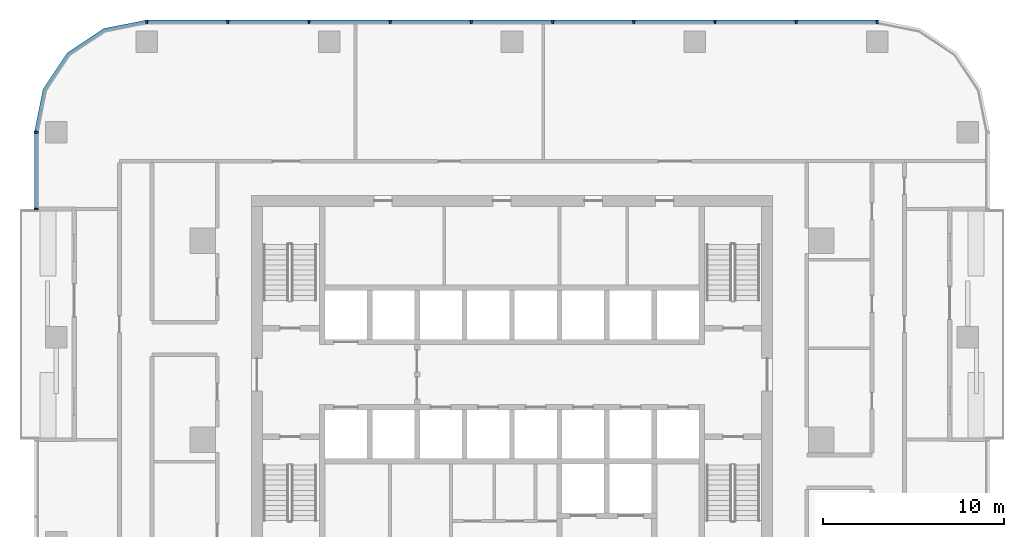
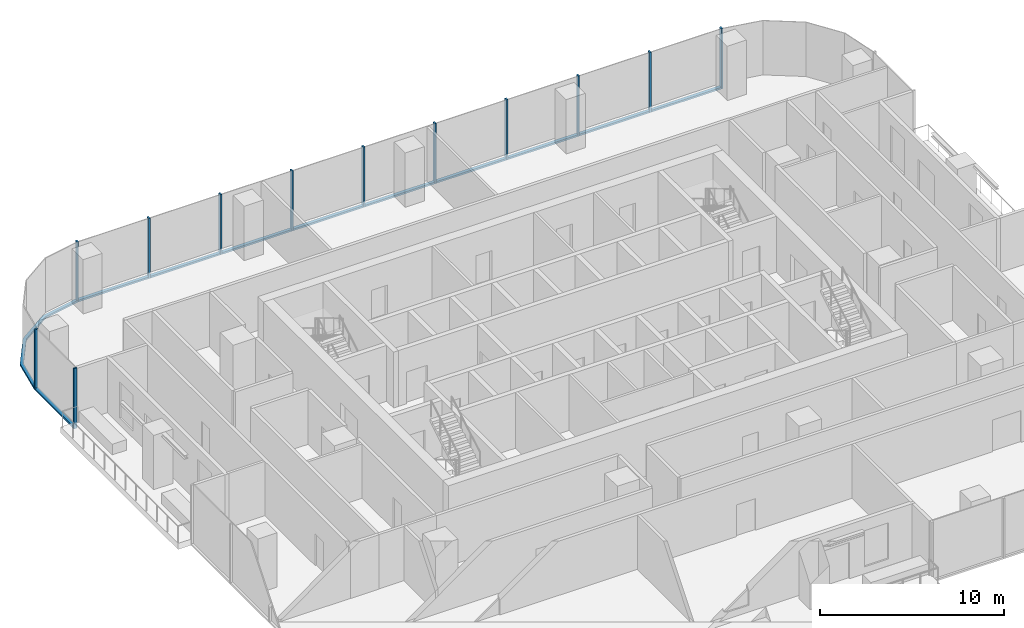
# One storey, part 4 of 15: 23 members, 3 elements without a shape of their own.
"""IFC4 building model written with IfcOpenShell, lengths in metres."""

from ifc_helpers import new_model, si_unit, direction, frame, origin, origin_2d, place, context, subcontext, project, spatial, polyline, rectangle, outline, extrude, material, material_profile, profile_set, type_object, element, aggregate, save


model = new_model("IFC4")

# Units and contexts
model_context = context("Model", 3, precision=1e-05, world=origin(), true_north=direction((0.0, 1.0)))
body_context = subcontext(model_context, "Body", "Model", "MODEL_VIEW")
ifc_project = project(units=[si_unit("LENGTHUNIT", "METRE"), si_unit("AREAUNIT", "SQUARE_METRE"), si_unit("VOLUMEUNIT", "CUBIC_METRE"), si_unit("PLANEANGLEUNIT", "RADIAN"), si_unit("MASSUNIT", "GRAM", prefix="KILO")], contexts=[model_context])

# Site, building, storey
site_placement = place(None, origin())
site = spatial("IfcSite", under=ifc_project, at=site_placement, CompositionType="ELEMENT")
building_placement = place(site_placement, origin())
building = spatial("IfcBuilding", under=site, at=building_placement, Name="Mopane Tessera Tower", CompositionType="ELEMENT")
storey_placement = place(building_placement, frame((0.0, 0.0, 173.0)))
storey = spatial("IfcBuildingStorey", under=building, at=storey_placement, Name="L35", CompositionType="ELEMENT", Elevation=173.0)

# Curtain wall, members
ifc_material_1 = material(Name="Aluminium frame", Category="aluminium")
curtain_wall_type = type_object("IfcCurtainWallType", Name="Unitised curtain wall", PredefinedType="NOTDEFINED", material=ifc_material_1)
curtain_wall_1_placement = place(storey_placement, origin())
curtain_wall_1 = element("IfcCurtainWall", 1, at=curtain_wall_1_placement, inside=storey, type_object=curtain_wall_type, Name="e:cw:L35:N:0", PredefinedType="NOTDEFINED")
ifc_material_2 = material(Name="Aluminium frame", Category="aluminium")
ifc_material_profile_1 = material_profile(ifc_material_2, rectangle(XDim=0.10009765625, YDim=0.199951171875, at=origin_2d()))
ifc_profile_set_1 = profile_set([ifc_material_profile_1], Name="Aluminium frame")
member_type_1 = type_object("IfcMemberType", Name="Aluminium mullion 100 x 200", PredefinedType="MULLION", material=ifc_profile_set_1)
member_1_placement = place(storey_placement, frame((20.199951171875, 23.10009765625, -0.39990234375), z_axis=(0.0, 0.0, 1.0), x_axis=(-1.0, 0.0, 0.0)))
member_1 = element("IfcMember", 2, at=member_1_placement, type_object=member_type_1, Name="e:cw:L35:N:0:mu0", PredefinedType="MULLION", context=body_context, shape_type="SweptSolid", body=[
    extrude(rectangle(XDim=0.10009765625, YDim=0.199951171875, at=origin_2d()), origin(), (0.0, 0.0, 1.0), 4.0),
])
member_2_placement = place(storey_placement, frame((15.711181640625, 23.10009765625, -0.39990234375), z_axis=(0.0, 0.0, 1.0), x_axis=(-1.0, 0.0, 0.0)))
member_2 = element("IfcMember", 3, at=member_2_placement, type_object=member_type_1, Name="e:cw:L35:N:0:mu1", PredefinedType="MULLION", context=body_context, shape_type="SweptSolid", body=[
    extrude(rectangle(XDim=0.10009765625, YDim=0.199951171875, at=origin_2d()), origin(), (0.0, 0.0, 1.0), 4.0),
])
member_3_placement = place(storey_placement, frame((11.22216796875, 23.10009765625, -0.39990234375), z_axis=(0.0, 0.0, 1.0), x_axis=(-1.0, 0.0, 0.0)))
member_3 = element("IfcMember", 4, at=member_3_placement, type_object=member_type_1, Name="e:cw:L35:N:0:mu2", PredefinedType="MULLION", context=body_context, shape_type="SweptSolid", body=[
    extrude(rectangle(XDim=0.10009765625, YDim=0.199951171875, at=origin_2d()), origin(), (0.0, 0.0, 1.0), 4.0),
])
member_4_placement = place(storey_placement, frame((6.7333984375, 23.10009765625, -0.39990234375), z_axis=(0.0, 0.0, 1.0), x_axis=(-1.0, 0.0, 0.0)))
member_4 = element("IfcMember", 5, at=member_4_placement, type_object=member_type_1, Name="e:cw:L35:N:0:mu3", PredefinedType="MULLION", context=body_context, shape_type="SweptSolid", body=[
    extrude(rectangle(XDim=0.10009765625, YDim=0.199951171875, at=origin_2d()), origin(), (0.0, 0.0, 1.0), 4.0),
])
member_5_placement = place(storey_placement, frame((2.244384765625, 23.10009765625, -0.39990234375), z_axis=(0.0, 0.0, 1.0), x_axis=(-1.0, 0.0, 0.0)))
member_5 = element("IfcMember", 6, at=member_5_placement, type_object=member_type_1, Name="e:cw:L35:N:0:mu4", PredefinedType="MULLION", context=body_context, shape_type="SweptSolid", body=[
    extrude(rectangle(XDim=0.10009765625, YDim=0.199951171875, at=origin_2d()), origin(), (0.0, 0.0, 1.0), 4.0),
])
member_6_placement = place(storey_placement, frame((-2.244384765625, 23.10009765625, -0.39990234375), z_axis=(0.0, 0.0, 1.0), x_axis=(-1.0, 0.0, 0.0)))
member_6 = element("IfcMember", 7, at=member_6_placement, type_object=member_type_1, Name="e:cw:L35:N:0:mu5", PredefinedType="MULLION", context=body_context, shape_type="SweptSolid", body=[
    extrude(rectangle(XDim=0.10009765625, YDim=0.199951171875, at=origin_2d()), origin(), (0.0, 0.0, 1.0), 4.0),
])
member_7_placement = place(storey_placement, frame((-6.7333984375, 23.10009765625, -0.39990234375), z_axis=(0.0, 0.0, 1.0), x_axis=(-1.0, 0.0, 0.0)))
member_7 = element("IfcMember", 8, at=member_7_placement, type_object=member_type_1, Name="e:cw:L35:N:0:mu6", PredefinedType="MULLION", context=body_context, shape_type="SweptSolid", body=[
    extrude(rectangle(XDim=0.10009765625, YDim=0.199951171875, at=origin_2d()), origin(), (0.0, 0.0, 1.0), 4.0),
])
member_8_placement = place(storey_placement, frame((-11.22216796875, 23.10009765625, -0.39990234375), z_axis=(0.0, 0.0, 1.0), x_axis=(-1.0, 0.0, 0.0)))
member_8 = element("IfcMember", 9, at=member_8_placement, type_object=member_type_1, Name="e:cw:L35:N:0:mu7", PredefinedType="MULLION", context=body_context, shape_type="SweptSolid", body=[
    extrude(rectangle(XDim=0.10009765625, YDim=0.199951171875, at=origin_2d()), origin(), (0.0, 0.0, 1.0), 4.0),
])
member_9_placement = place(storey_placement, frame((-15.711181640625, 23.10009765625, -0.39990234375), z_axis=(0.0, 0.0, 1.0), x_axis=(-1.0, 0.0, 0.0)))
member_9 = element("IfcMember", 10, at=member_9_placement, type_object=member_type_1, Name="e:cw:L35:N:0:mu8", PredefinedType="MULLION", context=body_context, shape_type="SweptSolid", body=[
    extrude(rectangle(XDim=0.10009765625, YDim=0.199951171875, at=origin_2d()), origin(), (0.0, 0.0, 1.0), 4.0),
])
member_10_placement = place(storey_placement, frame((-20.199951171875, 23.10009765625, -0.39990234375), z_axis=(0.0, 0.0, 1.0), x_axis=(-1.0, 0.0, 0.0)))
member_10 = element("IfcMember", 11, at=member_10_placement, type_object=member_type_1, Name="e:cw:L35:N:0:mu9", PredefinedType="MULLION", context=body_context, shape_type="SweptSolid", body=[
    extrude(rectangle(XDim=0.10009765625, YDim=0.199951171875, at=origin_2d()), origin(), (0.0, 0.0, 1.0), 4.0),
])

curtain_wall_2_placement = place(storey_placement, origin())
curtain_wall_2 = element("IfcCurtainWall", 12, at=curtain_wall_2_placement, inside=storey, type_object=curtain_wall_type, Name="e:cw:L35:W:0", PredefinedType="NOTDEFINED")
member_11_placement = place(storey_placement, frame((-26.300048828125, 17.0, -0.39990234375), z_axis=(0.0, 0.0, 1.0), x_axis=(0.0, -1.0, 0.0)))
member_11 = element("IfcMember", 13, at=member_11_placement, type_object=member_type_1, Name="e:cw:L35:W:0:mu0", PredefinedType="MULLION", context=body_context, shape_type="SweptSolid", body=[
    extrude(rectangle(XDim=0.10009765625, YDim=0.199951171875, at=origin_2d()), origin(), (0.0, 0.0, 1.0), 4.0),
])
member_12_placement = place(storey_placement, frame((-26.300048828125, 12.75, -0.39990234375), z_axis=(0.0, 0.0, 1.0), x_axis=(0.0, -1.0, 0.0)))
member_12 = element("IfcMember", 14, at=member_12_placement, type_object=member_type_1, Name="e:cw:L35:W:0:mu1", PredefinedType="MULLION", context=body_context, shape_type="SweptSolid", body=[
    extrude(rectangle(XDim=0.10009765625, YDim=0.199951171875, at=origin_2d()), origin(), (0.0, 0.0, 1.0), 4.0),
])

# Member
ifc_material_3 = material(Name="Aluminium frame", Category="aluminium")
ifc_material_profile_2 = material_profile(ifc_material_3, rectangle(XDim=0.199951171875, YDim=0.1201171875, at=origin_2d()))
ifc_profile_set_2 = profile_set([ifc_material_profile_2], Name="Aluminium frame")
member_type_2 = type_object("IfcMemberType", Name="Aluminium transom 200 x 120", PredefinedType="USERDEFINED", material=ifc_profile_set_2)
member_13_placement = place(storey_placement, frame((20.14990234375, 23.10009765625, -0.340087890625), z_axis=(-1.0, 0.0, 0.0), x_axis=(0.0, -1.0, 0.0)))
member_13 = element("IfcMember", 15, at=member_13_placement, type_object=member_type_2, Name="e:cw:L35:N:0:tr0", ObjectType="TRANSOM", PredefinedType="USERDEFINED", context=body_context, shape_type="SweptSolid", body=[
    extrude(rectangle(XDim=0.199951171875, YDim=0.1201171875, at=origin_2d()), origin(), (0.0, 0.0, 1.0), 4.388671875),
])

member_14_placement = place(storey_placement, frame((15.6611328125, 23.10009765625, -0.340087890625), z_axis=(-1.0, 0.0, 0.0), x_axis=(0.0, -1.0, 0.0)))
member_14 = element("IfcMember", 16, at=member_14_placement, type_object=member_type_2, Name="e:cw:L35:N:0:tr1", ObjectType="TRANSOM", PredefinedType="USERDEFINED", context=body_context, shape_type="SweptSolid", body=[
    extrude(rectangle(XDim=0.199951171875, YDim=0.1201171875, at=origin_2d()), origin(), (0.0, 0.0, 1.0), 4.388916015625),
])

member_15_placement = place(storey_placement, frame((11.172119140625, 23.10009765625, -0.340087890625), z_axis=(-1.0, 0.0, 0.0), x_axis=(0.0, -1.0, 0.0)))
member_15 = element("IfcMember", 17, at=member_15_placement, type_object=member_type_2, Name="e:cw:L35:N:0:tr2", ObjectType="TRANSOM", PredefinedType="USERDEFINED", context=body_context, shape_type="SweptSolid", body=[
    extrude(rectangle(XDim=0.199951171875, YDim=0.1201171875, at=origin_2d()), origin(), (0.0, 0.0, 1.0), 4.388671875),
])

member_16_placement = place(storey_placement, frame((6.683349609375, 23.10009765625, -0.340087890625), z_axis=(-1.0, 0.0, 0.0), x_axis=(0.0, -1.0, 0.0)))
member_16 = element("IfcMember", 18, at=member_16_placement, type_object=member_type_2, Name="e:cw:L35:N:0:tr3", ObjectType="TRANSOM", PredefinedType="USERDEFINED", context=body_context, shape_type="SweptSolid", body=[
    extrude(rectangle(XDim=0.199951171875, YDim=0.1201171875, at=origin_2d()), origin(), (0.0, 0.0, 1.0), 4.388916015625),
])

member_17_placement = place(storey_placement, frame((2.1943359375, 23.10009765625, -0.340087890625), z_axis=(-1.0, 0.0, 0.0), x_axis=(0.0, -1.0, 0.0)))
member_17 = element("IfcMember", 19, at=member_17_placement, type_object=member_type_2, Name="e:cw:L35:N:0:tr4", ObjectType="TRANSOM", PredefinedType="USERDEFINED", context=body_context, shape_type="SweptSolid", body=[
    extrude(rectangle(XDim=0.199951171875, YDim=0.1201171875, at=origin_2d()), origin(), (0.0, 0.0, 1.0), 4.388671875),
])

member_18_placement = place(storey_placement, frame((-2.29443359375, 23.10009765625, -0.340087890625), z_axis=(-1.0, 0.0, 0.0), x_axis=(0.0, -1.0, 0.0)))
member_18 = element("IfcMember", 20, at=member_18_placement, type_object=member_type_2, Name="e:cw:L35:N:0:tr5", ObjectType="TRANSOM", PredefinedType="USERDEFINED", context=body_context, shape_type="SweptSolid", body=[
    extrude(rectangle(XDim=0.199951171875, YDim=0.1201171875, at=origin_2d()), origin(), (0.0, 0.0, 1.0), 4.388916015625),
])

member_19_placement = place(storey_placement, frame((-6.783447265625, 23.10009765625, -0.340087890625), z_axis=(-1.0, 0.0, 0.0), x_axis=(0.0, -1.0, 0.0)))
member_19 = element("IfcMember", 21, at=member_19_placement, type_object=member_type_2, Name="e:cw:L35:N:0:tr6", ObjectType="TRANSOM", PredefinedType="USERDEFINED", context=body_context, shape_type="SweptSolid", body=[
    extrude(rectangle(XDim=0.199951171875, YDim=0.1201171875, at=origin_2d()), origin(), (0.0, 0.0, 1.0), 4.388671875),
])

member_20_placement = place(storey_placement, frame((-11.272216796875, 23.10009765625, -0.340087890625), z_axis=(-1.0, 0.0, 0.0), x_axis=(0.0, -1.0, 0.0)))
member_20 = element("IfcMember", 22, at=member_20_placement, type_object=member_type_2, Name="e:cw:L35:N:0:tr7", ObjectType="TRANSOM", PredefinedType="USERDEFINED", context=body_context, shape_type="SweptSolid", body=[
    extrude(rectangle(XDim=0.199951171875, YDim=0.1201171875, at=origin_2d()), origin(), (0.0, 0.0, 1.0), 4.388916015625),
])

member_21_placement = place(storey_placement, frame((-15.76123046875, 23.10009765625, -0.340087890625), z_axis=(-1.0, 0.0, 0.0), x_axis=(0.0, -1.0, 0.0)))
member_21 = element("IfcMember", 23, at=member_21_placement, type_object=member_type_2, Name="e:cw:L35:N:0:tr8", ObjectType="TRANSOM", PredefinedType="USERDEFINED", context=body_context, shape_type="SweptSolid", body=[
    extrude(rectangle(XDim=0.199951171875, YDim=0.1201171875, at=origin_2d()), origin(), (0.0, 0.0, 1.0), 4.388671875),
])

aggregate(curtain_wall_1, [member_1, member_2, member_3, member_4, member_5, member_6, member_7, member_8, member_9, member_10, member_13, member_14, member_15, member_16, member_17, member_18, member_19, member_20, member_21])

# Curtain wall, member
curtain_wall_3_placement = place(storey_placement, origin())
curtain_wall_3 = element("IfcCurtainWall", 24, at=curtain_wall_3_placement, inside=storey, type_object=curtain_wall_type, Name="e:cw:L35:CN", PredefinedType="NOTDEFINED")
member_22_placement = place(storey_placement, frame((0.0, 0.0, -0.39990234375)))
member_22 = element("IfcMember", 25, at=member_22_placement, type_object=member_type_2, Name="e:cw:L35:CN:tr", ObjectType="TRANSOM", PredefinedType="USERDEFINED", context=body_context, shape_type="SweptSolid", body=[
    extrude(outline(polyline([(-20.199951171875, 23.0), (-22.49609375, 22.543212890625), (-24.442626953125, 21.24267578125), (-25.7431640625, 19.296142578125), (-26.199951171875, 17.0), (-26.39990234375, 17.0), (-25.927978515625, 19.37255859375), (-24.583984375, 21.384033203125), (-22.57275390625, 22.72802734375), (-20.199951171875, 23.199951171875), (-20.199951171875, 23.0)])), origin(), (0.0, 0.0, 1.0), 0.119873046875),
])
aggregate(curtain_wall_3, [member_22])

# Member
member_23_placement = place(storey_placement, frame((-26.300048828125, 16.949951171875, -0.340087890625), z_axis=(0.0, -1.0, 0.0), x_axis=(1.0, 0.0, 0.0)))
member_23 = element("IfcMember", 26, at=member_23_placement, type_object=member_type_2, Name="e:cw:L35:W:0:tr0", ObjectType="TRANSOM", PredefinedType="USERDEFINED", context=body_context, shape_type="SweptSolid", body=[
    extrude(rectangle(XDim=0.199951171875, YDim=0.1201171875, at=origin_2d()), origin(), (0.0, 0.0, 1.0), 4.14990234375),
])

aggregate(curtain_wall_2, [member_11, member_12, member_23])

save(model, "model.ifc")
